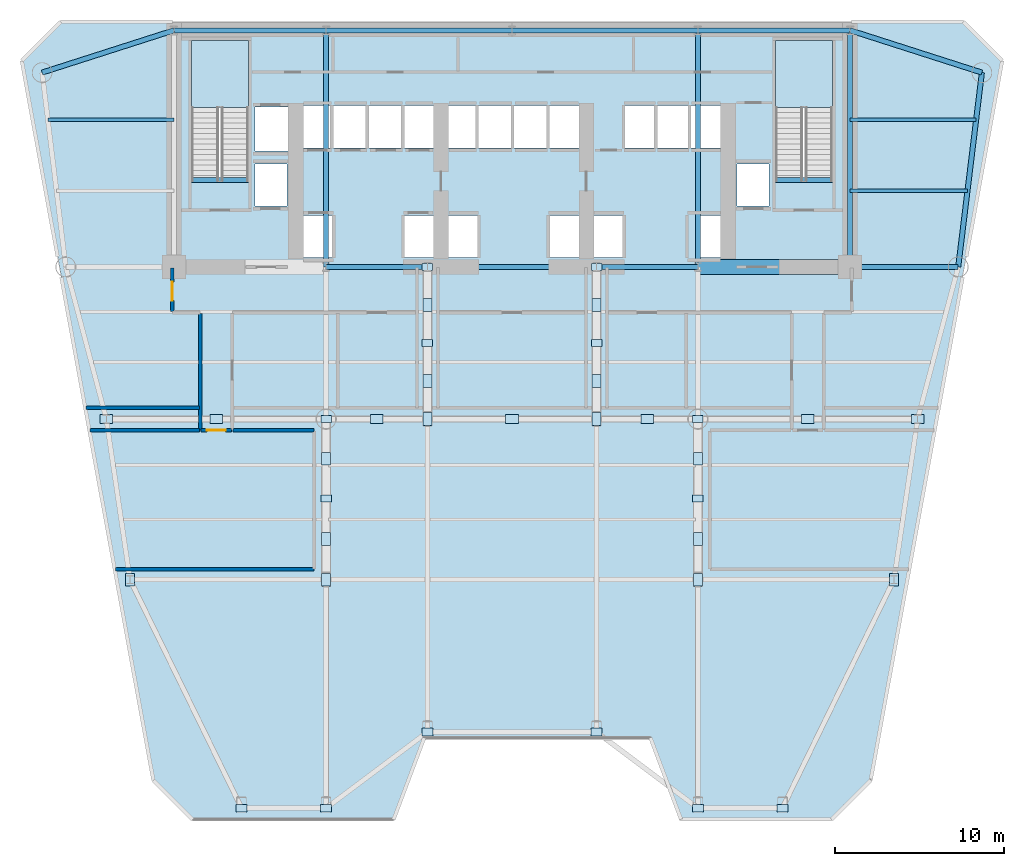
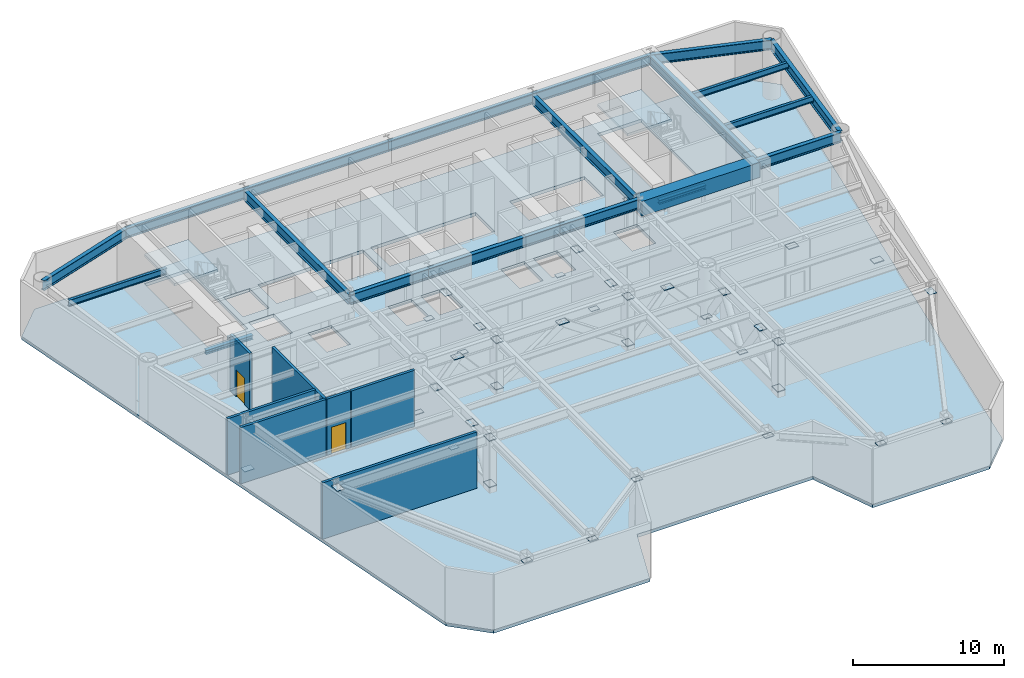
# One storey, part 3 of 10: 39 plates, 20 beams, 7 walls, 3 slabs, 2 doors, 2 openings, 2 elements without a shape of their own.
"""IFC4 building model written with IfcOpenShell, lengths in metres."""

import ifcopenshell
import ifcopenshell.guid

model = None  # the IFC model being written
_history = None  # IfcOwnerHistory: only IFC2X3 demands one
_inside = {}  # id of a spatial element -> (the spatial element, [elements in it])
_under = {}  # id of a project, library or spatial element -> (it, [spatial elements below it])
_declared = {}  # id of a project -> (the project, [libraries it declares])
_typed = {}  # id of a type object -> (the type object, [elements of that type])
_made_of = {}  # id of a material, layer set ... -> (it, [elements and type objects made of it])


def new_model(schema):
    """Start an empty IFC model of exactly this schema.

    Asked for "IFC4X3", IfcOpenShell would pick the latest addendum, in which some entities
    have other attributes; the version numbers below select the first issue.
    IFC2X3 requires an IfcOwnerHistory on every rooted entity: one is made here for all.
    """
    global model, _history
    if schema == "IFC4X3":
        model = ifcopenshell.file(schema_version=(4, 3, 0, 0))
    else:
        model = ifcopenshell.file(schema=schema)
    _inside.clear()
    _under.clear()
    _declared.clear()
    _typed.clear()
    _made_of.clear()
    _history = None
    if model.schema == "IFC2X3":
        org = make("IfcOrganization", Name="unknown")
        user = make(
            "IfcPersonAndOrganization",
            ThePerson=make("IfcPerson", FamilyName="unknown"),
            TheOrganization=org,
        )
        app = make(
            "IfcApplication",
            ApplicationDeveloper=org,
            Version="unknown",
            ApplicationFullName="unknown",
            ApplicationIdentifier="unknown",
        )
        _history = make(
            "IfcOwnerHistory",
            OwningUser=user,
            OwningApplication=app,
            ChangeAction="ADDED",
            CreationDate=0,
        )
    return model


def make(cls, **values):
    """One entity of the class cls with the attributes given. An attribute that is None is left unset."""
    return model.create_entity(
        cls, **{name: value for name, value in values.items() if value is not None}
    )


def rooted(cls, **values):
    """An entity with a GlobalId (a new one), such as an element, a storey or a relation."""
    return make(cls, GlobalId=ifcopenshell.guid.new(), OwnerHistory=_history, **values)


def si_unit(unit_type, name, prefix=None):
    """IfcSIUnit, for example si_unit("LENGTHUNIT", "METRE", prefix="MILLI")."""
    return make("IfcSIUnit", UnitType=unit_type, Prefix=prefix, Name=name)


def assignment(units):
    """IfcUnitAssignment: the units of a project."""
    return None if units is None else make("IfcUnitAssignment", Units=units)


def point(xyz):
    """IfcCartesianPoint."""
    return None if xyz is None else make("IfcCartesianPoint", Coordinates=xyz)


def direction(xyz):
    """IfcDirection."""
    return None if xyz is None else make("IfcDirection", DirectionRatios=xyz)


def frame(location, z_axis=None, x_axis=None):
    """IfcAxis2Placement3D, a coordinate frame: its origin and axes. An axis left out is left unset."""
    return make(
        "IfcAxis2Placement3D",
        Location=point(location),
        Axis=direction(z_axis),
        RefDirection=direction(x_axis),
    )


def frame_2d(location, x_axis=None):
    """IfcAxis2Placement2D, a coordinate frame in the plane: its origin and x axis."""
    return make(
        "IfcAxis2Placement2D", Location=point(location), RefDirection=direction(x_axis)
    )


def origin():
    """The frame at (0, 0, 0) with its axes left unset."""
    return frame((0.0, 0.0, 0.0))


def origin_2d():
    """The frame at (0, 0) in the plane with its x axis left unset."""
    return frame_2d((0.0, 0.0))


def place(relative_to, where):
    """IfcLocalPlacement: puts the frame where relative to a parent placement (None: the world)."""
    return make(
        "IfcLocalPlacement", PlacementRelTo=relative_to, RelativePlacement=where
    )


def context(
    kind, dimensions, precision=None, world=None, true_north=None, identifier=None
):
    """IfcGeometricRepresentationContext, for example the 3D "Model" context."""
    return make(
        "IfcGeometricRepresentationContext",
        ContextIdentifier=identifier,
        ContextType=kind,
        CoordinateSpaceDimension=dimensions,
        Precision=precision,
        WorldCoordinateSystem=world,
        TrueNorth=true_north,
    )


def subcontext(parent, identifier, kind, view, scale=None):
    """IfcGeometricRepresentationSubContext, for example "Body" below "Model"."""
    return make(
        "IfcGeometricRepresentationSubContext",
        ContextIdentifier=identifier,
        ContextType=kind,
        ParentContext=parent,
        TargetScale=scale,
        TargetView=view,
    )


def project(units=None, contexts=None):
    """IfcProject with its units and contexts."""
    return rooted(
        "IfcProject",
        Name="project",
        RepresentationContexts=contexts,
        UnitsInContext=assignment(units),
    )


def spatial(cls, under=None, at=None, **own):
    """A site, building, storey or space (cls), placed at a placement, below another one or the project."""
    s = rooted(cls, ObjectPlacement=at, **own)
    if under is not None:
        _under.setdefault(under.id(), (under, []))[1].append(s)
    return s


def polyline(points):
    """IfcPolyline through the points."""
    return make("IfcPolyline", Points=[point(p) for p in points])


def profile(cls, at=None, kind="AREA", **sizes):
    """A parametric profile (cls). Its sizes go by their IFC names, for example OverallWidth=200.0."""
    return make(cls, ProfileType=kind, Position=at, **sizes)


def rectangle(**sizes):
    """IfcRectangleProfileDef."""
    return profile("IfcRectangleProfileDef", **sizes)


def i_section(**sizes):
    """IfcIShapeProfileDef."""
    return profile("IfcIShapeProfileDef", **sizes)


def outline(outer, holes=None, kind="AREA"):
    """IfcArbitraryClosedProfileDef: a profile drawn as a closed curve; with holes, ...WithVoids."""
    if holes is None:
        return make("IfcArbitraryClosedProfileDef", ProfileType=kind, OuterCurve=outer)
    return make(
        "IfcArbitraryProfileDefWithVoids",
        ProfileType=kind,
        OuterCurve=outer,
        InnerCurves=holes,
    )


def extrude(swept, where, along, depth):
    """IfcExtrudedAreaSolid: the profile swept, set in the frame where, extruded along a direction by depth."""
    return make(
        "IfcExtrudedAreaSolid",
        SweptArea=swept,
        Position=where,
        ExtrudedDirection=direction(along),
        Depth=depth,
    )


def shape(context_of_items, identifier, shape_type, items):
    """IfcShapeRepresentation: the items that make up one representation, for example the "Body"."""
    return make(
        "IfcShapeRepresentation",
        ContextOfItems=context_of_items,
        RepresentationIdentifier=identifier,
        RepresentationType=shape_type,
        Items=items,
    )


def source(mapping_origin, context_of_items, identifier, shape_type, items):
    """IfcRepresentationMap: a shape defined once, which mapped items show again and again."""
    return make(
        "IfcRepresentationMap",
        MappingOrigin=mapping_origin,
        MappedRepresentation=shape(context_of_items, identifier, shape_type, items),
    )


def transform(
    local_origin,
    x_axis=None,
    y_axis=None,
    z_axis=None,
    scale=None,
    scale2=None,
    scale3=None,
    uniform=True,
):
    """IfcCartesianTransformationOperator3D, or its non-uniform kind. x_axis, y_axis, z_axis: its Axis1, 2, 3."""
    if uniform:
        return make(
            "IfcCartesianTransformationOperator3D",
            Axis1=direction(x_axis),
            Axis2=direction(y_axis),
            LocalOrigin=point(local_origin),
            Scale=scale,
            Axis3=direction(z_axis),
        )
    return make(
        "IfcCartesianTransformationOperator3DnonUniform",
        Axis1=direction(x_axis),
        Axis2=direction(y_axis),
        LocalOrigin=point(local_origin),
        Scale=scale,
        Axis3=direction(z_axis),
        Scale2=scale2,
        Scale3=scale3,
    )


def mapped(mapping_source, mapping_target):
    """IfcMappedItem: shows the shape of a source again, moved by a transform."""
    return make(
        "IfcMappedItem", MappingSource=mapping_source, MappingTarget=mapping_target
    )


def material(Name=None, Category=None):
    """IfcMaterial."""
    return make("IfcMaterial", Name=Name, Category=Category)


def layer(
    of_material, thickness, ventilated=None, Name=None, Category=None, Priority=None
):
    """IfcMaterialLayer: one layer of a wall or slab, of a material (None: an air gap)."""
    return make(
        "IfcMaterialLayer",
        Material=of_material,
        LayerThickness=thickness,
        IsVentilated=ventilated,
        Name=Name,
        Category=Category,
        Priority=Priority,
    )


def layer_set(layers, Name=None):
    """IfcMaterialLayerSet."""
    return make("IfcMaterialLayerSet", MaterialLayers=layers, LayerSetName=Name)


def material_profile(
    of_material, cross_section, Name=None, Category=None, Priority=None
):
    """IfcMaterialProfile: a cross section and its material."""
    return make(
        "IfcMaterialProfile",
        Name=Name,
        Material=of_material,
        Profile=cross_section,
        Priority=Priority,
        Category=Category,
    )


def profile_set(profiles, Name=None, composite=None):
    """IfcMaterialProfileSet."""
    return make(
        "IfcMaterialProfileSet",
        Name=Name,
        MaterialProfiles=profiles,
        CompositeProfile=composite,
    )


def made_of(thing, what):
    """Note that an element or type object is made of a material, layer set ...; save() writes the relation."""
    if what is not None:
        _made_of.setdefault(what.id(), (what, []))[1].append(thing)
    return thing


def type_object(cls, material=None, **own):
    """A type object (cls), such as IfcWallType, which elements share."""
    return made_of(rooted(cls, **own), material)


def element(
    cls,
    number,
    at=None,
    inside=None,
    cuts=None,
    type_object=None,
    material=None,
    context=None,
    identifier="Body",
    shape_type=None,
    held_by="IfcProductDefinitionShape",
    body=None,
    shapes=None,
    **own,
):
    """One element of the class cls, such as IfcWall. Its Tag is "e" and its number.

    at: its placement. inside: the storey or other place that contains it. cuts: it is an
    opening in that element (IfcRelVoidsElement). A single representation is given by context,
    identifier, shape_type and body (its items); several are given by shapes. held_by: the class
    of the entity that holds the representations. save() writes the other relations.
    """
    e = rooted(cls, Tag="e%d" % number, ObjectPlacement=at, **own)
    if body is not None:
        shapes = [shape(context, identifier, shape_type, body)]
    if shapes is not None:
        e.Representation = make(held_by, Representations=shapes)
    if inside is not None:
        _inside.setdefault(inside.id(), (inside, []))[1].append(e)
    if cuts is not None:
        rooted(
            "IfcRelVoidsElement", RelatingBuildingElement=cuts, RelatedOpeningElement=e
        )
    if type_object is not None:
        _typed.setdefault(type_object.id(), (type_object, []))[1].append(e)
    return made_of(e, material)


def fill(opening, filler):
    """IfcRelFillsElement: the door or window that sits in an opening."""
    return rooted(
        "IfcRelFillsElement",
        RelatingOpeningElement=opening,
        RelatedBuildingElement=filler,
    )


def aggregate(whole, parts):
    """IfcRelAggregates: a whole, such as a stair, and the parts it consists of."""
    return rooted("IfcRelAggregates", RelatingObject=whole, RelatedObjects=parts)


def save(model, path):
    """Write the relations noted so far, then the file.

    IfcRelAggregates (storeys below a building ...), IfcRelContainedInSpatialStructure (elements
    in a storey), IfcRelDefinesByType, IfcRelAssociatesMaterial and IfcRelDeclares: one each for
    every whole, place, type object, material and project.
    """
    for whole, parts in _under.values():
        aggregate(whole, parts)
    for where, things in _inside.values():
        rooted(
            "IfcRelContainedInSpatialStructure",
            RelatedElements=things,
            RelatingStructure=where,
        )
    for kind, things in _typed.values():
        rooted("IfcRelDefinesByType", RelatedObjects=things, RelatingType=kind)
    for what, things in _made_of.values():
        rooted("IfcRelAssociatesMaterial", RelatedObjects=things, RelatingMaterial=what)
    for by, libraries in _declared.values():
        rooted("IfcRelDeclares", RelatingContext=by, RelatedDefinitions=libraries)
    model.write(path)


model = new_model("IFC4")

# Units and contexts
model_context = context("Model", 3, precision=1e-05, world=origin(), true_north=direction((0.0, 1.0)))
body_context = subcontext(model_context, "Body", "Model", "MODEL_VIEW")
ifc_project = project(units=[si_unit("LENGTHUNIT", "METRE"), si_unit("AREAUNIT", "SQUARE_METRE"), si_unit("VOLUMEUNIT", "CUBIC_METRE"), si_unit("PLANEANGLEUNIT", "RADIAN"), si_unit("MASSUNIT", "GRAM", prefix="KILO")], contexts=[model_context])

# Site, building, storey
site_placement = place(None, origin())
site = spatial("IfcSite", under=ifc_project, at=site_placement, CompositionType="ELEMENT")
building_placement = place(site_placement, origin())
building = spatial("IfcBuilding", under=site, at=building_placement, Name="Vaeldorn Concourse Tower", CompositionType="ELEMENT")
storey_placement = place(building_placement, frame((0.0, 0.0, 83.39990234375)))
storey = spatial("IfcBuildingStorey", under=building, at=storey_placement, Name="L21", CompositionType="ELEMENT", Elevation=83.39990234375)

# Beams
ifc_material_1 = material(Name="Concrete C60/75", Category="concrete")
ifc_material_profile_1 = material_profile(ifc_material_1, rectangle(XDim=0.89990234375, YDim=1.199951171875, at=origin_2d()), Name="RC 900x1200")
ifc_profile_set_1 = profile_set([ifc_material_profile_1], Name="Concrete C60/75")
beam_type_1 = type_object("IfcBeamType", Name="BM-CB-RC900", PredefinedType="BEAM", material=ifc_profile_set_1)
shared_shape_1 = source(origin(), body_context, "Body", "SweptSolid", [
    extrude(rectangle(XDim=0.89990234375, YDim=1.199951171875, at=origin_2d()), origin(), (0.0, 0.0, 1.0), 9.0),
])
beam_1_placement = place(storey_placement, frame((45.0, 36.5, 3.940185546875), z_axis=(1.0, 0.0, 0.0), x_axis=(0.0, 1.0, 0.0)))
element("IfcBeam", 1, at=beam_1_placement, inside=storey, type_object=beam_type_1, Name="Core Coupling Beam L21-2", PredefinedType="BEAM", context=body_context, shape_type="MappedRepresentation", body=[
    mapped(shared_shape_1, transform((0.0, 0.0, 0.0), scale=1.0)),
])
ifc_material_2 = material(Name="Steel S355", Category="steel")
ifc_material_profile_2 = material_profile(ifc_material_2, i_section(OverallWidth=0.300048828125, OverallDepth=0.340087890625, WebThickness=0.011962890625, FlangeThickness=0.021484375, FilletRadius=0.027099609375, at=origin_2d()), Name="HEB 340")
ifc_profile_set_2 = profile_set([ifc_material_profile_2], Name="Steel S355")
beam_type_2 = type_object("IfcBeamType", Name="BM-ST-TRIM", PredefinedType="BEAM", material=ifc_profile_set_2)
shared_shape_2 = source(origin(), body_context, "Body", "SweptSolid", [
    extrude(i_section(OverallWidth=0.300048828125, OverallDepth=0.340087890625, WebThickness=0.011962890625, FlangeThickness=0.021484375, FilletRadius=0.027099609375, at=origin_2d()), origin(), (0.0, 0.0, 1.0), 3.590087890625),
])
for number, where, z_axis, x_axis, name in (
    (2, (14.929931640625, 41.639892578125, -0.429931640625), (1.0, 0.0, 0.0), (0.0, 1.0, 0.0), "Stair Landing Trimmer Beam ST-1 L21"),
    (3, (49.47998046875, 41.639892578125, -0.429931640625), (1.0, 0.0, 0.0), (0.0, 1.0, 0.0), "Stair Landing Trimmer Beam ST-2 L21"),
):
    element("IfcBeam", number, at=place(storey_placement, frame(where, z_axis=z_axis, x_axis=x_axis)), inside=storey, type_object=beam_type_2, Name=name, PredefinedType="BEAM", context=body_context, shape_type="MappedRepresentation", body=[
        mapped(shared_shape_2, transform((0.0, 0.0, 0.0), scale=1.0)),
    ])
ifc_material_profile_3 = material_profile(ifc_material_2, i_section(OverallWidth=0.300048828125, OverallDepth=0.800048828125, WebThickness=0.017578125, FlangeThickness=0.032958984375, FilletRadius=0.030029296875, at=origin_2d()), Name="HEB 800")
ifc_profile_set_3 = profile_set([ifc_material_profile_3], Name="Steel S355")
beam_type_3 = type_object("IfcBeamType", Name="BM-PG-HEB800", PredefinedType="BEAM", material=ifc_profile_set_3)
shared_shape_3 = source(origin(), body_context, "Body", "SweptSolid", [
    extrude(i_section(OverallWidth=0.300048828125, OverallDepth=0.800048828125, WebThickness=0.017578125, FlangeThickness=0.032958984375, FilletRadius=0.030029296875, at=origin_2d()), origin(), (0.0, 0.0, 1.0), 6.0),
])
for number, where, z_axis, x_axis, name in (
    (4, (23.0, 36.5, 4.14013671875), (1.0, 0.0, 0.0), (0.0, 1.0, 0.0), "Beam BM-L21-C-FC2-C-FC3"),
    (5, (39.0, 36.5, 4.14013671875), (1.0, 0.0, 0.0), (0.0, 1.0, 0.0), "Beam BM-L21-C-FC4-C-FC5"),
):
    element("IfcBeam", number, at=place(storey_placement, frame(where, z_axis=z_axis, x_axis=x_axis)), inside=storey, type_object=beam_type_3, Name=name, PredefinedType="BEAM", context=body_context, shape_type="MappedRepresentation", body=[
        mapped(shared_shape_3, transform((0.0, 0.0, 0.0), scale=1.0)),
    ])
shared_shape_4 = source(origin(), body_context, "Body", "SweptSolid", [
    extrude(i_section(OverallWidth=0.300048828125, OverallDepth=0.800048828125, WebThickness=0.017578125, FlangeThickness=0.032958984375, FilletRadius=0.030029296875, at=origin_2d()), origin(), (0.0, 0.0, 1.0), 10.0),
])
beam_2_placement = place(storey_placement, frame((29.0, 36.5, 4.14013671875), z_axis=(1.0, 0.0, 0.0), x_axis=(0.0, 1.0, 0.0)))
element("IfcBeam", 6, at=beam_2_placement, inside=storey, type_object=beam_type_3, Name="Beam BM-L21-C-FC3-C-FC4", PredefinedType="BEAM", context=body_context, shape_type="MappedRepresentation", body=[
    mapped(shared_shape_4, transform((0.0, 0.0, 0.0), scale=1.0)),
])
shared_shape_5 = source(origin(), body_context, "Body", "SweptSolid", [
    extrude(i_section(OverallWidth=0.300048828125, OverallDepth=0.800048828125, WebThickness=0.017578125, FlangeThickness=0.032958984375, FilletRadius=0.030029296875, at=origin_2d()), origin(), (0.0, 0.0, 1.0), 9.0),
])
for number, where, z_axis, x_axis, name in (
    (7, (14.0, 50.5, 4.14013671875), (1.0, 0.0, 0.0), (0.0, 1.0, 0.0), "Beam BM-L21-C-HC1-C-HC2"),
    (8, (45.0, 50.5, 4.14013671875), (1.0, 0.0, 0.0), (0.0, 1.0, 0.0), "Beam BM-L21-C-HC4-C-HC5"),
):
    element("IfcBeam", number, at=place(storey_placement, frame(where, z_axis=z_axis, x_axis=x_axis)), inside=storey, type_object=beam_type_3, Name=name, PredefinedType="BEAM", context=body_context, shape_type="MappedRepresentation", body=[
        mapped(shared_shape_5, transform((0.0, 0.0, 0.0), scale=1.0)),
    ])
shared_shape_6 = source(origin(), body_context, "Body", "SweptSolid", [
    extrude(i_section(OverallWidth=0.300048828125, OverallDepth=0.800048828125, WebThickness=0.017578125, FlangeThickness=0.032958984375, FilletRadius=0.030029296875, at=origin_2d()), origin(), (0.0, 0.0, 1.0), 11.0),
])
for number, where, z_axis, x_axis, name in (
    (9, (23.0, 50.5, 4.14013671875), (1.0, 0.0, 0.0), (0.0, 1.0, 0.0), "Beam BM-L21-C-HC2-C-HC3"),
    (10, (34.0, 50.5, 4.14013671875), (1.0, 0.0, 0.0), (0.0, 1.0, 0.0), "Beam BM-L21-C-HC3-C-HC4"),
):
    element("IfcBeam", number, at=place(storey_placement, frame(where, z_axis=z_axis, x_axis=x_axis)), inside=storey, type_object=beam_type_3, Name=name, PredefinedType="BEAM", context=body_context, shape_type="MappedRepresentation", body=[
        mapped(shared_shape_6, transform((0.0, 0.0, 0.0), scale=1.0)),
    ])
shared_shape_7 = source(origin(), body_context, "Body", "SweptSolid", [
    extrude(i_section(OverallWidth=0.300048828125, OverallDepth=0.800048828125, WebThickness=0.017578125, FlangeThickness=0.032958984375, FilletRadius=0.030029296875, at=origin_2d()), origin(), (0.0, 0.0, 1.0), 14.0),
])
for number, where, z_axis, x_axis, name in (
    (11, (23.0, 36.5, 4.14013671875), (0.0, 1.0, 0.0), (-1.0, 0.0, 0.0), "Beam BM-L21-C-FC2-C-HC2"),
    (12, (45.0, 36.5, 4.14013671875), (0.0, 1.0, 0.0), (-1.0, 0.0, 0.0), "Beam BM-L21-C-FC5-C-HC4"),
    (13, (54.0, 36.5, 4.14013671875), (0.0, 1.0, 0.0), (-1.0, 0.0, 0.0), "Beam BM-L21-C-FC6-C-HC5"),
):
    element("IfcBeam", number, at=place(storey_placement, frame(where, z_axis=z_axis, x_axis=x_axis)), inside=storey, type_object=beam_type_3, Name=name, PredefinedType="BEAM", context=body_context, shape_type="MappedRepresentation", body=[
        mapped(shared_shape_7, transform((0.0, 0.0, 0.0), scale=1.0)),
    ])
shared_shape_8 = source(origin(), body_context, "Body", "SweptSolid", [
    extrude(i_section(OverallWidth=0.300048828125, OverallDepth=0.800048828125, WebThickness=0.017578125, FlangeThickness=0.032958984375, FilletRadius=0.030029296875, at=origin_2d()), origin(), (0.0, 0.0, 1.0), 8.19091796875),
])
for number, where, z_axis, x_axis, name in (
    (14, (6.199951171875, 48.0, 4.14013671875), (0.952282843383, 0.305216949396, 0.0), (-0.305216949396, 0.952282843383, 0.0), "Beam BM-L21-C-NW1-C-HC1"),
    (15, (54.0, 50.5, 4.14013671875), (0.952282843383, -0.305216949396, 0.0), (0.305216949396, 0.952282843383, 0.0), "Beam BM-L21-C-HC5-C-NE1"),
):
    element("IfcBeam", number, at=place(storey_placement, frame(where, z_axis=z_axis, x_axis=x_axis)), inside=storey, type_object=beam_type_3, Name=name, PredefinedType="BEAM", context=body_context, shape_type="MappedRepresentation", body=[
        mapped(shared_shape_8, transform((0.0, 0.0, 0.0), scale=1.0)),
    ])
shared_shape_9 = source(origin(), body_context, "Body", "SweptSolid", [
    extrude(i_section(OverallWidth=0.300048828125, OverallDepth=0.800048828125, WebThickness=0.017578125, FlangeThickness=0.032958984375, FilletRadius=0.030029296875, at=origin_2d()), origin(), (0.0, 0.0, 1.0), 11.5849609375),
])
beam_3_placement = place(storey_placement, frame((61.800048828125, 48.0, 4.14013671875), z_axis=(-0.120859382899, -0.992669637677, 0.0), x_axis=(0.992669637677, -0.120859382899, 0.0)))
element("IfcBeam", 16, at=beam_3_placement, inside=storey, type_object=beam_type_3, Name="Beam BM-L21-C-NE1-C-NE2", PredefinedType="BEAM", context=body_context, shape_type="MappedRepresentation", body=[
    mapped(shared_shape_9, transform((0.0, 0.0, 0.0), scale=1.0)),
])
shared_shape_10 = source(origin(), body_context, "Body", "SweptSolid", [
    extrude(i_section(OverallWidth=0.300048828125, OverallDepth=0.800048828125, WebThickness=0.017578125, FlangeThickness=0.032958984375, FilletRadius=0.030029296875, at=origin_2d()), origin(), (0.0, 0.0, 1.0), 6.39990234375),
])
beam_4_placement = place(storey_placement, frame((54.0, 36.5, 4.14013671875), z_axis=(1.0, 0.0, 0.0), x_axis=(0.0, 1.0, 0.0)))
element("IfcBeam", 17, at=beam_4_placement, inside=storey, type_object=beam_type_3, Name="Beam BM-L21-C-FC6-C-NE2", PredefinedType="BEAM", context=body_context, shape_type="MappedRepresentation", body=[
    mapped(shared_shape_10, transform((0.0, 0.0, 0.0), scale=1.0)),
])
ifc_material_profile_4 = material_profile(ifc_material_2, i_section(OverallWidth=0.199951171875, OverallDepth=0.5, WebThickness=0.01025390625, FlangeThickness=0.01611328125, FilletRadius=0.02099609375, at=origin_2d()), Name="IPE 500")
ifc_profile_set_4 = profile_set([ifc_material_profile_4], Name="Steel S355")
beam_type_4 = type_object("IfcBeamType", Name="BM-JS-IPE500", PredefinedType="JOIST", material=ifc_profile_set_4)
shared_shape_11 = source(origin(), body_context, "Body", "SweptSolid", [
    extrude(i_section(OverallWidth=0.199951171875, OverallDepth=0.5, WebThickness=0.01025390625, FlangeThickness=0.01611328125, FilletRadius=0.02099609375, at=origin_2d()), origin(), (0.0, 0.0, 1.0), 6.94775390625),
])
beam_5_placement = place(storey_placement, frame((54.0, 41.0, 4.2900390625), z_axis=(1.0, 0.0, 0.0), x_axis=(0.0, 1.0, 0.0)))
element("IfcBeam", 18, at=beam_5_placement, inside=storey, type_object=beam_type_4, Name="Beam JS-L21-NE-410", PredefinedType="JOIST", context=body_context, shape_type="MappedRepresentation", body=[
    mapped(shared_shape_11, transform((0.0, 0.0, 0.0), scale=1.0)),
])
shared_shape_12 = source(origin(), body_context, "Body", "SweptSolid", [
    extrude(i_section(OverallWidth=0.199951171875, OverallDepth=0.5, WebThickness=0.01025390625, FlangeThickness=0.01611328125, FilletRadius=0.02099609375, at=origin_2d()), origin(), (0.0, 0.0, 1.0), 7.458984375),
])
for number, where, z_axis, x_axis, name in (
    (19, (6.541015625, 45.199951171875, 4.2900390625), (1.0, 0.0, 0.0), (0.0, 1.0, 0.0), "Beam JS-L21-NW-452"),
    (20, (54.0, 45.199951171875, 4.2900390625), (1.0, 0.0, 0.0), (0.0, 1.0, 0.0), "Beam JS-L21-NE-452"),
):
    element("IfcBeam", number, at=place(storey_placement, frame(where, z_axis=z_axis, x_axis=x_axis)), inside=storey, type_object=beam_type_4, Name=name, PredefinedType="JOIST", context=body_context, shape_type="MappedRepresentation", body=[
        mapped(shared_shape_12, transform((0.0, 0.0, 0.0), scale=1.0)),
    ])

# Stair, slab
ifc_material_3 = material(Name="Precast concrete C40/50", Category="concrete")
stair_type = type_object("IfcStairType", Name="STR-DOG-30x160", PredefinedType="HALF_TURN_STAIR", material=ifc_material_3)
stair_1_placement = place(storey_placement, origin())
stair_1 = element("IfcStair", 21, at=stair_1_placement, inside=storey, type_object=stair_type, Name="L21 West Core Exit Stair ST-1", PredefinedType="HALF_TURN_STAIR")
ifc_material_4 = material(Name="Concrete C40/50", Category="concrete")
ifc_layer_1 = layer(ifc_material_4, 0.199951171875)
ifc_layer_set_1 = layer_set([ifc_layer_1], Name="Concrete C40/50")
slab_type_1 = type_object("IfcSlabType", Name="SL-STAIR-LANDING", PredefinedType="LANDING", material=ifc_layer_set_1)
slab_1_placement = place(storey_placement, frame((0.0, 0.0, 2.2001953125)))
slab_1 = element("IfcSlab", 22, at=slab_1_placement, type_object=slab_type_1, Name="ST-1 landing 1", PredefinedType="LANDING", context=body_context, shape_type="SweptSolid", body=[
    extrude(outline(polyline([(18.39990234375, 45.93994140625), (18.39990234375, 49.89990234375), (15.050048828125, 49.89990234375), (15.050048828125, 45.93994140625), (18.39990234375, 45.93994140625)])), origin(), (0.0, 0.0, 1.0), 0.199951171875),
])
aggregate(stair_1, [slab_1])

stair_2_placement = place(storey_placement, origin())
stair_2 = element("IfcStair", 23, at=stair_2_placement, inside=storey, type_object=stair_type, Name="L21 East Core Exit Stair ST-2", PredefinedType="HALF_TURN_STAIR")
slab_2_placement = place(storey_placement, frame((0.0, 0.0, 2.2001953125)))
slab_2 = element("IfcSlab", 24, at=slab_2_placement, type_object=slab_type_1, Name="ST-2 landing 1", PredefinedType="LANDING", context=body_context, shape_type="SweptSolid", body=[
    extrude(outline(polyline([(52.949951171875, 45.93994140625), (52.949951171875, 49.89990234375), (49.60009765625, 49.89990234375), (49.60009765625, 45.93994140625), (52.949951171875, 45.93994140625)])), origin(), (0.0, 0.0, 1.0), 0.199951171875),
])
aggregate(stair_2, [slab_2])

# Slab
ifc_layer_2 = layer(ifc_material_4, 0.260009765625)
ifc_layer_set_2 = layer_set([ifc_layer_2], Name="Concrete C40/50")
slab_type_2 = type_object("IfcSlabType", Name="SL-TRN-260", PredefinedType="FLOOR", material=ifc_layer_set_2)
slab_3_placement = place(storey_placement, frame((0.0, 0.0, -0.260009765625)))
element("IfcSlab", 25, at=slab_3_placement, inside=storey, type_object=slab_type_2, Name="Structural Floor Slab L21", PredefinedType="FLOOR", context=body_context, shape_type="SweptSolid", body=[
    extrude(outline(polyline([(15.083740234375, 3.8251953125), (27.0, 3.8251953125), (28.800048828125, 8.625244140625), (42.199951171875, 8.625244140625), (44.0, 3.8251953125), (52.916259765625, 3.8251953125), (55.21630859375, 6.125244140625), (63.0, 48.699951171875), (60.699951171875, 51.0), (7.300048828125, 51.0), (5.0, 48.699951171875), (12.78369140625, 6.125244140625), (15.083740234375, 3.8251953125)]), holes=[polyline([(18.39990234375, 42.0), (18.39990234375, 49.89990234375), (15.050048828125, 49.89990234375), (15.050048828125, 41.60009765625), (16.800048828125, 41.60009765625), (16.800048828125, 42.0), (18.39990234375, 42.0)]), polyline([(52.949951171875, 42.0), (52.949951171875, 49.89990234375), (49.60009765625, 49.89990234375), (49.60009765625, 41.60009765625), (51.35009765625, 41.60009765625), (51.35009765625, 42.0), (52.949951171875, 42.0)]), polyline([(21.550048828125, 37.050048828125), (23.35009765625, 37.050048828125), (23.35009765625, 39.550048828125), (21.550048828125, 39.550048828125), (21.550048828125, 37.050048828125)]), polyline([(27.64990234375, 37.050048828125), (29.449951171875, 37.050048828125), (29.449951171875, 39.550048828125), (27.64990234375, 39.550048828125), (27.64990234375, 37.050048828125)]), polyline([(21.5, 43.550048828125), (29.5, 43.550048828125), (29.5, 46.050048828125), (21.5, 46.050048828125), (21.5, 43.550048828125)]), polyline([(30.14990234375, 37.050048828125), (31.949951171875, 37.050048828125), (31.949951171875, 39.550048828125), (30.14990234375, 39.550048828125), (30.14990234375, 37.050048828125)]), polyline([(36.25, 37.050048828125), (38.050048828125, 37.050048828125), (38.050048828125, 39.550048828125), (36.25, 39.550048828125), (36.25, 37.050048828125)]), polyline([(30.10009765625, 43.550048828125), (38.10009765625, 43.550048828125), (38.10009765625, 46.050048828125), (30.10009765625, 46.050048828125), (30.10009765625, 43.550048828125)]), polyline([(38.75, 37.050048828125), (40.550048828125, 37.050048828125), (40.550048828125, 39.550048828125), (38.75, 39.550048828125), (38.75, 37.050048828125)]), polyline([(44.85009765625, 37.050048828125), (46.64990234375, 37.050048828125), (46.64990234375, 39.550048828125), (44.85009765625, 39.550048828125), (44.85009765625, 37.050048828125)]), polyline([(40.699951171875, 43.550048828125), (46.39990234375, 43.550048828125), (46.39990234375, 46.050048828125), (40.699951171875, 46.050048828125), (40.699951171875, 43.550048828125)]), polyline([(18.800048828125, 43.35009765625), (20.800048828125, 43.35009765625), (20.800048828125, 45.949951171875), (18.800048828125, 45.949951171875), (18.800048828125, 43.35009765625)]), polyline([(18.800048828125, 40.10009765625), (20.699951171875, 40.10009765625), (20.699951171875, 42.60009765625), (18.800048828125, 42.60009765625), (18.800048828125, 40.10009765625)]), polyline([(47.300048828125, 40.10009765625), (49.199951171875, 40.10009765625), (49.199951171875, 42.60009765625), (47.300048828125, 42.60009765625), (47.300048828125, 40.10009765625)])]), origin(), (0.0, 0.0, 1.0), 0.260009765625),
])

# Plates
ifc_material_5 = material(Name="Steel S460", Category="steel")
ifc_layer_3 = layer(ifc_material_5, 0.0400390625)
ifc_layer_set_3 = layer_set([ifc_layer_3], Name="Steel S460")
plate_type_1 = type_object("IfcPlateType", Name="PL-GUSSET-ON1", PredefinedType="USERDEFINED", material=ifc_layer_set_3)
shared_shape_13 = source(origin(), body_context, "Body", "SweptSolid", [
    extrude(rectangle(XDim=0.75, YDim=0.550048828125, at=origin_2d()), origin(), (0.0, 0.0, 1.0), 0.0400390625),
])
for number, where, z_axis, x_axis, name in (
    (26, (23.0, 25.14990234375, 3.8701171875), (0.0, 0.0, 1.0), (0.0, 1.0, 0.0), "Outrigger Node Gusset ON1-L21.1.1"),
    (27, (23.0, 20.39990234375, 3.8701171875), (0.0, 0.0, 1.0), (0.0, 1.0, 0.0), "Outrigger Node Gusset ON1-L21.1.2"),
    (28, (29.0, 34.25, 3.8701171875), (0.0, 0.0, 1.0), (0.0, 1.0, 0.0), "Outrigger Node Gusset ON1-L21.2.1"),
    (29, (29.0, 29.75, 3.8701171875), (0.0, 0.0, 1.0), (0.0, 1.0, 0.0), "Outrigger Node Gusset ON1-L21.2.2"),
    (30, (39.0, 34.25, 3.8701171875), (0.0, 0.0, 1.0), (0.0, 1.0, 0.0), "Outrigger Node Gusset ON1-L21.3.1"),
    (31, (39.0, 29.75, 3.8701171875), (0.0, 0.0, 1.0), (0.0, 1.0, 0.0), "Outrigger Node Gusset ON1-L21.3.2"),
    (32, (45.0, 25.14990234375, 3.8701171875), (0.0, 0.0, 1.0), (0.0, 1.0, 0.0), "Outrigger Node Gusset ON1-L21.4.1"),
    (33, (45.0, 20.39990234375, 3.8701171875), (0.0, 0.0, 1.0), (0.0, 1.0, 0.0), "Outrigger Node Gusset ON1-L21.4.2"),
    (34, (23.0, 18.0, 0.43017578125), (0.0, 0.0, 1.0), (0.0, 1.0, 0.0), "Structural Brace Connection Gusset L21-01"),
    (35, (29.0, 27.5, 0.43017578125), (0.0, 0.0, 1.0), (0.0, 1.0, 0.0), "Structural Brace Connection Gusset L21-02"),
    (36, (39.0, 27.5, 0.43017578125), (0.0, 0.0, 1.0), (0.0, 1.0, 0.0), "Structural Brace Connection Gusset L21-03"),
    (37, (45.0, 18.0, 0.43017578125), (0.0, 0.0, 1.0), (0.0, 1.0, 0.0), "Structural Brace Connection Gusset L21-04"),
    (38, (10.0, 27.5, 0.43017578125), (0.0, 0.0, 1.0), (1.0, 0.0, 0.0), "Structural Brace Connection Gusset L21-05"),
    (39, (16.5, 27.5, 3.8701171875), (0.0, 0.0, 1.0), (1.0, 0.0, 0.0), "Structural Brace Connection Gusset L21-06"),
    (40, (26.0, 27.5, 3.8701171875), (0.0, 0.0, 1.0), (1.0, 0.0, 0.0), "Structural Brace Connection Gusset L21-07"),
    (41, (34.0, 27.5, 3.8701171875), (0.0, 0.0, 1.0), (1.0, 0.0, 0.0), "Structural Brace Connection Gusset L21-08"),
    (42, (42.0, 27.5, 3.8701171875), (0.0, 0.0, 1.0), (1.0, 0.0, 0.0), "Structural Brace Connection Gusset L21-09"),
    (43, (51.5, 27.5, 3.8701171875), (0.0, 0.0, 1.0), (1.0, 0.0, 0.0), "Structural Brace Connection Gusset L21-10"),
    (44, (58.0, 27.5, 0.43017578125), (0.0, 0.0, 1.0), (1.0, 0.0, 0.0), "Structural Brace Connection Gusset L21-11"),
    (45, (11.39990234375, 18.0, 4.170166015625), (0.0, 0.0, 1.0), (0.0, 1.0, 0.0), "Structural Brace Connection Gusset L21-12"),
    (46, (23.0, 18.0, 4.170166015625), (0.0, 0.0, 1.0), (0.0, 1.0, 0.0), "Structural Brace Connection Gusset L21-13"),
    (47, (29.0, 27.5, 4.170166015625), (0.0, 0.0, 1.0), (0.0, 1.0, 0.0), "Structural Brace Connection Gusset L21-14"),
    (48, (39.0, 27.5, 4.170166015625), (0.0, 0.0, 1.0), (0.0, 1.0, 0.0), "Structural Brace Connection Gusset L21-15"),
    (49, (45.0, 18.0, 4.170166015625), (0.0, 0.0, 1.0), (0.0, 1.0, 0.0), "Structural Brace Connection Gusset L21-16"),
    (50, (56.60009765625, 18.0, 4.170166015625), (0.0, 0.0, 1.0), (0.0, 1.0, 0.0), "Structural Brace Connection Gusset L21-17"),
):
    element("IfcPlate", number, at=place(storey_placement, frame(where, z_axis=z_axis, x_axis=x_axis)), inside=storey, type_object=plate_type_1, Name=name, ObjectType="GUSSET PLATE", PredefinedType="USERDEFINED", context=body_context, shape_type="MappedRepresentation", body=[
        mapped(shared_shape_13, transform((0.0, 0.0, 0.0), scale=1.0)),
    ])
ifc_layer_4 = layer(ifc_material_5, 0.02490234375)
ifc_layer_set_4 = layer_set([ifc_layer_4], Name="Steel S460")
plate_type_2 = type_object("IfcPlateType", Name="PL-ENDCAP-EC1", PredefinedType="SHEET", material=ifc_layer_set_4)
shared_shape_14 = source(origin(), body_context, "Body", "SweptSolid", [
    extrude(rectangle(XDim=0.6201171875, YDim=0.419921875, at=origin_2d()), origin(), (0.0, 0.0, 1.0), 0.02490234375),
])
for number, where, z_axis, x_axis, name in (
    (51, (23.0, 27.5, 0.437744140625), (0.0, 0.0, 1.0), (1.0, 0.0, 0.0), "Hollow Section End Cap Plate EC1-L21.1.1"),
    (52, (23.0, 22.800048828125, 0.437744140625), (0.0, 0.0, 1.0), (1.0, 0.0, 0.0), "Hollow Section End Cap Plate EC1-L21.1.2"),
    (53, (29.0, 36.5, 0.437744140625), (0.0, 0.0, 1.0), (1.0, 0.0, 0.0), "Hollow Section End Cap Plate EC1-L21.2.1"),
    (54, (29.0, 32.0, 0.437744140625), (0.0, 0.0, 1.0), (1.0, 0.0, 0.0), "Hollow Section End Cap Plate EC1-L21.2.2"),
    (55, (39.0, 36.5, 0.437744140625), (0.0, 0.0, 1.0), (1.0, 0.0, 0.0), "Hollow Section End Cap Plate EC1-L21.3.1"),
    (56, (39.0, 32.0, 0.437744140625), (0.0, 0.0, 1.0), (1.0, 0.0, 0.0), "Hollow Section End Cap Plate EC1-L21.3.2"),
    (57, (45.0, 27.5, 0.437744140625), (0.0, 0.0, 1.0), (1.0, 0.0, 0.0), "Hollow Section End Cap Plate EC1-L21.4.1"),
    (58, (45.0, 22.800048828125, 0.437744140625), (0.0, 0.0, 1.0), (1.0, 0.0, 0.0), "Hollow Section End Cap Plate EC1-L21.4.2"),
):
    element("IfcPlate", number, at=place(storey_placement, frame(where, z_axis=z_axis, x_axis=x_axis)), inside=storey, type_object=plate_type_2, Name=name, PredefinedType="SHEET", context=body_context, shape_type="MappedRepresentation", body=[
        mapped(shared_shape_14, transform((0.0, 0.0, 0.0), scale=1.0)),
    ])
ifc_layer_5 = layer(ifc_material_5, 0.034912109375)
ifc_layer_set_5 = layer_set([ifc_layer_5], Name="Steel S460")
plate_type_3 = type_object("IfcPlateType", Name="PL-GUSSET-KN1", PredefinedType="USERDEFINED", material=ifc_layer_set_5)
shared_shape_15 = source(origin(), body_context, "Body", "SweptSolid", [
    extrude(rectangle(XDim=0.64990234375, YDim=0.449951171875, at=origin_2d()), origin(), (0.0, 0.0, 1.0), 0.034912109375),
])
for number, where, z_axis, x_axis, name in (
    (59, (18.0, 4.486083984375, 4.1728515625), (0.0, 0.0, 1.0), (1.0, 0.0, 0.0), "Pleat Kink Gusset Plate KN1-L21.1"),
    (60, (23.0, 4.486083984375, 4.1728515625), (0.0, 0.0, 1.0), (1.0, 0.0, 0.0), "Pleat Kink Gusset Plate KN1-L21.2"),
    (61, (29.0, 8.986083984375, 4.1728515625), (0.0, 0.0, 1.0), (1.0, 0.0, 0.0), "Pleat Kink Gusset Plate KN1-L21.3"),
    (62, (39.0, 8.986083984375, 4.1728515625), (0.0, 0.0, 1.0), (1.0, 0.0, 0.0), "Pleat Kink Gusset Plate KN1-L21.4"),
    (63, (45.0, 4.486083984375, 4.1728515625), (0.0, 0.0, 1.0), (1.0, 0.0, 0.0), "Pleat Kink Gusset Plate KN1-L21.5"),
    (64, (50.0, 4.486083984375, 4.1728515625), (0.0, 0.0, 1.0), (1.0, 0.0, 0.0), "Pleat Kink Gusset Plate KN1-L21.6"),
):
    element("IfcPlate", number, at=place(storey_placement, frame(where, z_axis=z_axis, x_axis=x_axis)), inside=storey, type_object=plate_type_3, Name=name, ObjectType="GUSSET PLATE", PredefinedType="USERDEFINED", context=body_context, shape_type="MappedRepresentation", body=[
        mapped(shared_shape_15, transform((0.0, 0.0, 0.0), scale=1.0)),
    ])

# Wall, opening, door
ifc_material_6 = material(Name="Concrete C50/60", Category="concrete")
ifc_layer_6 = layer(ifc_material_6, 0.199951171875)
ifc_layer_set_6 = layer_set([ifc_layer_6], Name="Concrete C50/60")
wall_type = type_object("IfcWallType", Name="WL-SHAFT-200", PredefinedType="SOLIDWALL", material=ifc_layer_set_6)
wall_1_placement = place(storey_placement, frame((13.89990234375, 33.860107421875, 0.0), z_axis=(0.0, 0.0, 1.0), x_axis=(0.0, 1.0, 0.0)))
wall_1 = element("IfcWall", 65, at=wall_1_placement, inside=storey, type_object=wall_type, Name="Interior Wall PW-L21-RNW", PredefinedType="SOLIDWALL", context=body_context, shape_type="SweptSolid", body=[
    extrude(rectangle(XDim=2.579833984375, YDim=0.199951171875, at=frame_2d((1.2900390625, 0.0))), origin(), (0.0, 0.0, 1.0), 4.5400390625),
])
opening_1_placement = place(wall_1_placement, frame((0.64990234375, 0.0, 0.0)))
opening_1 = element("IfcOpeningElement", 66, at=opening_1_placement, cuts=wall_1, Name="Opening D-01", PredefinedType="OPENING", context=body_context, shape_type="SweptSolid", body=[
    extrude(rectangle(XDim=1.10009765625, YDim=2.14990234375, at=frame_2d((0.550048828125, 1.074951171875))), frame((0.0, 0.10986328125, 0.0), z_axis=(0.0, -1.0, 0.0), x_axis=(1.0, 0.0, 0.0)), (0.0, 0.0, 1.0), 0.219970703125),
])
ifc_material_7 = material(Name="Fire-Rated Timber and Steel Leaf", Category="steel")
door_type = type_object("IfcDoorType", Name="DR-FD60-1100", OperationType="NOTDEFINED", PredefinedType="DOOR", material=ifc_material_7)
shared_shape_16 = source(origin(), body_context, "Body", "SweptSolid", [
    extrude(rectangle(XDim=1.10009765625, YDim=2.14990234375, at=frame_2d((0.550048828125, 1.074951171875))), frame((0.0, 0.02490234375, 0.0), z_axis=(0.0, -1.0, 0.0), x_axis=(1.0, 0.0, 0.0)), (0.0, 0.0, 1.0), 0.050048828125),
])
door_1_placement = place(opening_1_placement, origin())
door_1 = element("IfcDoor", 67, at=door_1_placement, inside=storey, type_object=door_type, Name="Interior Door DR-L21-REF1", OperationType="SINGLE_SWING_LEFT", OverallHeight=2.14990234375, OverallWidth=1.10009765625, PredefinedType="DOOR", context=body_context, shape_type="MappedRepresentation", body=[
    mapped(shared_shape_16, transform((0.0, 0.0, 0.0), scale=1.0)),
])
fill(opening_1, door_1)

# Wall
wall_2_placement = place(storey_placement, frame((15.56005859375, 26.840087890625, 0.0), z_axis=(0.0, 0.0, 1.0), x_axis=(0.0, 1.0, 0.0)))
element("IfcWall", 68, at=wall_2_placement, inside=storey, type_object=wall_type, Name="Interior Wall PW-L21-SPWW", PredefinedType="SOLIDWALL", context=body_context, shape_type="SweptSolid", body=[
    extrude(rectangle(XDim=6.919921875, YDim=0.199951171875, at=frame_2d((3.4599609375, 0.0))), origin(), (0.0, 0.0, 1.0), 4.5400390625),
])

# Wall, opening, door
wall_3_placement = place(storey_placement, frame((15.60009765625, 26.840087890625, 0.0), z_axis=(0.0, 0.0, 1.0), x_axis=(1.0, 0.0, 0.0)))
wall_3 = element("IfcWall", 69, at=wall_3_placement, inside=storey, type_object=wall_type, Name="Interior Wall PW-L21-SPWS", PredefinedType="SOLIDWALL", context=body_context, shape_type="SweptSolid", body=[
    extrude(rectangle(XDim=1.7998046875, YDim=0.199951171875, at=frame_2d((0.89990234375, 0.0))), origin(), (0.0, 0.0, 1.0), 4.5400390625),
])
opening_2_placement = place(wall_3_placement, frame((0.35009765625, 0.0, 0.0)))
opening_2 = element("IfcOpeningElement", 70, at=opening_2_placement, cuts=wall_3, Name="Opening D-01", PredefinedType="OPENING", context=body_context, shape_type="SweptSolid", body=[
    extrude(rectangle(XDim=1.10009765625, YDim=2.14990234375, at=frame_2d((0.550048828125, 1.074951171875))), frame((0.0, 0.10986328125, 0.0), z_axis=(0.0, -1.0, 0.0), x_axis=(1.0, 0.0, 0.0)), (0.0, 0.0, 1.0), 0.219970703125),
])
door_2_placement = place(opening_2_placement, origin())
door_2 = element("IfcDoor", 71, at=door_2_placement, inside=storey, type_object=door_type, Name="Interior Door DR-L21-REF3", OperationType="SINGLE_SWING_LEFT", OverallHeight=2.14990234375, OverallWidth=1.10009765625, PredefinedType="DOOR", context=body_context, shape_type="MappedRepresentation", body=[
    mapped(shared_shape_16, transform((0.0, 0.0, 0.0), scale=1.0)),
])
fill(opening_2, door_2)

# Walls
wall_4_placement = place(storey_placement, frame((8.79541015625, 28.159912109375, 0.0), z_axis=(0.0, 0.0, 1.0), x_axis=(1.0, 0.0, 0.0)))
element("IfcWall", 72, at=wall_4_placement, inside=storey, type_object=wall_type, Name="Interior Wall PW-L21-BTN1", PredefinedType="SOLIDWALL", context=body_context, shape_type="SweptSolid", body=[
    extrude(rectangle(XDim=6.724609375, YDim=0.199951171875, at=frame_2d((3.3623046875, 0.0))), origin(), (0.0, 0.0, 1.0), 4.5400390625),
])
wall_5_placement = place(storey_placement, frame((9.03662109375, 26.840087890625, 0.0), z_axis=(0.0, 0.0, 1.0), x_axis=(1.0, 0.0, 0.0)))
element("IfcWall", 73, at=wall_5_placement, inside=storey, type_object=wall_type, Name="Interior Wall PW-L21-BTSW1", PredefinedType="SOLIDWALL", context=body_context, shape_type="SweptSolid", body=[
    extrude(rectangle(XDim=6.4833984375, YDim=0.199951171875, at=frame_2d((3.24169921875, 0.0))), origin(), (0.0, 0.0, 1.0), 4.5400390625),
])
wall_6_placement = place(storey_placement, frame((17.47998046875, 26.840087890625, 0.0), z_axis=(0.0, 0.0, 1.0), x_axis=(1.0, 0.0, 0.0)))
element("IfcWall", 74, at=wall_6_placement, inside=storey, type_object=wall_type, Name="Interior Wall PW-L21-BTSW2", PredefinedType="SOLIDWALL", context=body_context, shape_type="SweptSolid", body=[
    extrude(rectangle(XDim=4.820068359375, YDim=0.199951171875, at=frame_2d((2.41015625, 0.0))), origin(), (0.0, 0.0, 1.0), 4.5400390625),
])
wall_7_placement = place(storey_placement, frame((10.539306640625, 18.6201171875, 0.0), z_axis=(0.0, 0.0, 1.0), x_axis=(1.0, 0.0, 0.0)))
element("IfcWall", 75, at=wall_7_placement, inside=storey, type_object=wall_type, Name="Interior Wall PW-L21-S18W", PredefinedType="SOLIDWALL", context=body_context, shape_type="SweptSolid", body=[
    extrude(rectangle(XDim=11.7607421875, YDim=0.199951171875, at=frame_2d((5.88037109375, 0.0))), origin(), (0.0, 0.0, 1.0), 4.5400390625),
])

save(model, "model.ifc")
